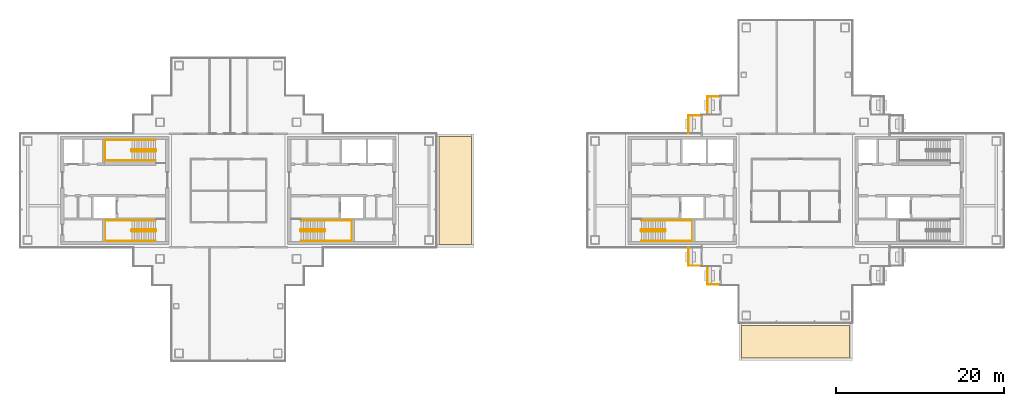
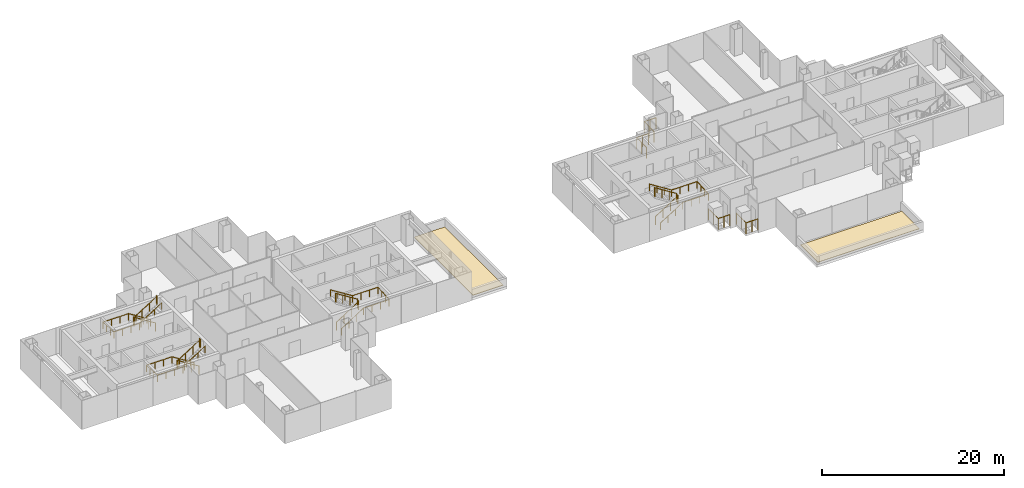
# One storey, part 14 of 16: 12 railings, 2 coverings.
"""IFC4 building model written with IfcOpenShell, lengths in metres."""

from ifc_helpers import new_model, si_unit, direction, frame, origin, origin_2d, place, context, subcontext, project, spatial, polyline, circle, outline, extrude, material, layer, layer_set, type_object, element, save


model = new_model("IFC4")

# Units and contexts
model_context = context("Model", 3, precision=1e-05, world=origin(), true_north=direction((0.0, 1.0)))
body_context = subcontext(model_context, "Body", "Model", "MODEL_VIEW")
ifc_project = project(units=[si_unit("LENGTHUNIT", "METRE"), si_unit("AREAUNIT", "SQUARE_METRE"), si_unit("VOLUMEUNIT", "CUBIC_METRE"), si_unit("PLANEANGLEUNIT", "RADIAN"), si_unit("MASSUNIT", "GRAM", prefix="KILO")], contexts=[model_context])

# Site, building, storey
site_placement = place(None, origin())
site = spatial("IfcSite", under=ifc_project, at=site_placement, CompositionType="ELEMENT")
building_placement = place(site_placement, origin())
building = spatial("IfcBuilding", under=site, at=building_placement, Name="Shamsa Quay Exchange Towers", CompositionType="ELEMENT")
storey_placement = place(building_placement, frame((0.0, 0.0, 182.699951171875)))
storey = spatial("IfcBuildingStorey", under=building, at=storey_placement, Name="L43", CompositionType="ELEMENT", Elevation=182.699951171875)

# Railings
ifc_material_1 = material(Name="Steel S355, black powder-coated", Category="steel")
railing_type_1 = type_object("IfcRailingType", Name="BALCONY GUARD 1500", PredefinedType="GUARDRAIL", material=ifc_material_1)
for number, where, name in (
    (1, (24.72900390625, 11.199951171875, 0.0), "Balcony guard T2-PKEN L43"),
    (2, (22.47900390625, 8.949951171875, 0.0), "Balcony guard T2-PKEN L43"),
):
    element("IfcRailing", number, at=place(storey_placement, frame(where)), inside=storey, type_object=railing_type_1, Name=name, PredefinedType="GUARDRAIL", context=body_context, shape_type="SweptSolid", body=[
        extrude(circle(Radius=0.02392578125, at=origin_2d()), frame((0.0, 0.0, 1.47607421875), z_axis=(-1.0, 0.0, 0.0), x_axis=(0.0, -1.0, 0.0)), (0.0, 0.0, 1.0), 1.47900390625),
        extrude(circle(Radius=0.02392578125, at=origin_2d()), frame((-1.47900390625, 0.0, 1.47607421875), z_axis=(0.0, -1.0, 0.0), x_axis=(1.0, 0.0, 0.0)), (0.0, 0.0, 1.0), 2.161865234375),
        extrude(circle(Radius=0.02099609375, at=origin_2d()), origin(), (0.0, 0.0, 1.0), 1.451904296875),
        extrude(circle(Radius=0.02099609375, at=origin_2d()), frame((-0.739501953125, 0.0, 0.0)), (0.0, 0.0, 1.0), 1.451904296875),
        extrude(circle(Radius=0.02099609375, at=origin_2d()), frame((-1.47900390625, 0.0, 0.0)), (0.0, 0.0, 1.0), 1.451904296875),
        extrude(circle(Radius=0.02099609375, at=origin_2d()), frame((-1.47900390625, -1.0810546875, 0.0)), (0.0, 0.0, 1.0), 1.451904296875),
        extrude(circle(Radius=0.02099609375, at=origin_2d()), frame((-1.47900390625, -2.161865234375, 0.0)), (0.0, 0.0, 1.0), 1.451904296875),
    ])
for number, where, name in (
    (3, (21.0, -6.7880859375, 0.0), "Balcony guard T2-PKWN L43"),
    (4, (23.25, -9.0380859375, 0.0), "Balcony guard T2-PKWN L43"),
):
    element("IfcRailing", number, at=place(storey_placement, frame(where)), inside=storey, type_object=railing_type_1, Name=name, PredefinedType="GUARDRAIL", context=body_context, shape_type="SweptSolid", body=[
        extrude(circle(Radius=0.02392578125, at=origin_2d()), frame((0.0, 0.0, 1.47607421875), z_axis=(0.0, -1.0, 0.0), x_axis=(1.0, 0.0, 0.0)), (0.0, 0.0, 1.0), 2.161865234375),
        extrude(circle(Radius=0.02392578125, at=origin_2d()), frame((0.0, -2.161865234375, 1.47607421875), z_axis=(1.0, 0.0, 0.0), x_axis=(0.0, 1.0, 0.0)), (0.0, 0.0, 1.0), 1.47900390625),
        extrude(circle(Radius=0.02099609375, at=origin_2d()), origin(), (0.0, 0.0, 1.0), 1.451904296875),
        extrude(circle(Radius=0.02099609375, at=origin_2d()), frame((0.0, -1.0810546875, 0.0)), (0.0, 0.0, 1.0), 1.451904296875),
        extrude(circle(Radius=0.02099609375, at=origin_2d()), frame((0.0, -2.161865234375, 0.0)), (0.0, 0.0, 1.0), 1.451904296875),
        extrude(circle(Radius=0.02099609375, at=origin_2d()), frame((0.739501953125, -2.161865234375, 0.0)), (0.0, 0.0, 1.0), 1.451904296875),
        extrude(circle(Radius=0.02099609375, at=origin_2d()), frame((1.47900390625, -2.161865234375, 0.0)), (0.0, 0.0, 1.0), 1.451904296875),
    ])

# Coverings
ifc_material_2 = material(Name="Bituminous waterproofing membrane with ballast")
ifc_layer = layer(ifc_material_2, 0.06005859375)
ifc_layer_set = layer_set([ifc_layer], Name="ROOF MEMBRANE 60")
covering_type = type_object("IfcCoveringType", Name="ROOF MEMBRANE 60", PredefinedType="ROOFING", material=ifc_layer_set)
covering_1_placement = place(storey_placement, origin())
element("IfcCovering", 5, at=covering_1_placement, inside=storey, type_object=covering_type, Name="Roof membrane 1.1", PredefinedType="ROOFING", context=body_context, shape_type="SweptSolid", body=[
    extrude(outline(polyline([(-4.820068359375, -6.429931640625), (-8.679931640625, -6.429931640625), (-8.679931640625, 6.429931640625), (-4.820068359375, 6.429931640625), (-4.820068359375, -6.429931640625)])), origin(), (0.0, 0.0, 1.0), 0.06005859375),
])
covering_2_placement = place(storey_placement, origin())
element("IfcCovering", 6, at=covering_2_placement, inside=storey, type_object=covering_type, Name="Roof membrane 2.1", PredefinedType="ROOFING", context=body_context, shape_type="SweptSolid", body=[
    extrude(outline(polyline([(27.320068359375, -19.929931640625), (27.320068359375, -16.070068359375), (40.179931640625, -16.070068359375), (40.179931640625, -19.929931640625), (27.320068359375, -19.929931640625)])), origin(), (0.0, 0.0, 1.0), 0.06005859375),
])

# Railings
ifc_material_3 = material(Name="Stainless steel", Category="steel")
railing_type_2 = type_object("IfcRailingType", Name="STAIR GUARD 1100", PredefinedType="GUARDRAIL", material=ifc_material_3)
railing_1_placement = place(storey_placement, frame((-25.10009765625, -4.89990234375, 0.17724609375)))
element("IfcRailing", 7, at=railing_1_placement, inside=storey, type_object=railing_type_2, Name="L43 ST1 stair guard 1", PredefinedType="GUARDRAIL", context=body_context, shape_type="SweptSolid", body=[
    extrude(circle(Radius=0.02392578125, at=origin_2d()), frame((0.0, 0.0, 1.076171875), z_axis=(0.844908973607, 0.0, 0.534910110503), x_axis=(0.0, 1.0, 0.0)), (0.0, 0.0, 1.0), 3.31396484375),
    extrude(circle(Radius=0.02392578125, at=origin_2d()), frame((2.800048828125, 0.0, 2.8486328125), z_axis=(0.708833529934, 0.705375805398, 0.0), x_axis=(-0.705375805398, 0.708833529934, 0.0)), (0.0, 0.0, 1.0), 0.070556640625),
    extrude(circle(Radius=0.02392578125, at=origin_2d()), frame((2.85009765625, 0.0498046875, 2.8486328125), z_axis=(0.0, 1.0, 0.0), x_axis=(-1.0, 0.0, 0.0)), (0.0, 0.0, 1.0), 0.150146484375),
    extrude(circle(Radius=0.02392578125, at=origin_2d()), frame((2.85009765625, 0.199951171875, 2.8486328125), z_axis=(-0.261922500866, 0.261922500866, 0.928866625022), x_axis=(-0.707106781187, -0.707106781187, 0.0)), (0.0, 0.0, 1.0), 0.191162109375),
    extrude(circle(Radius=0.02392578125, at=origin_2d()), frame((2.800048828125, 0.25, 3.0263671875), z_axis=(-0.844908973607, 0.0, 0.534910110503), x_axis=(0.0, -1.0, 0.0)), (0.0, 0.0, 1.0), 3.31396484375),
    extrude(circle(Radius=0.02392578125, at=origin_2d()), frame((0.0, 0.25, 4.798828125), z_axis=(-0.24142163986, -0.970420317083, 0.0), x_axis=(0.970420317083, -0.24142163986, 0.0)), (0.0, 0.0, 1.0), 0.206298828125),
    extrude(circle(Radius=0.02392578125, at=origin_2d()), frame((-0.0498046875, 0.0498046875, 4.798828125), z_axis=(0.0, 1.0, 0.0), x_axis=(-1.0, 0.0, 0.0)), (0.0, 0.0, 1.0), 0.150146484375),
    extrude(circle(Radius=0.02099609375, at=origin_2d()), origin(), (0.0, 0.0, 1.0), 1.052001953125),
    extrude(circle(Radius=0.02099609375, at=origin_2d()), frame((0.933349609375, 0.0, 0.5908203125)), (0.0, 0.0, 1.0), 1.052001953125),
    extrude(circle(Radius=0.02099609375, at=origin_2d()), frame((1.86669921875, 0.0, 1.181884765625)), (0.0, 0.0, 1.0), 1.052001953125),
    extrude(circle(Radius=0.02099609375, at=origin_2d()), frame((2.800048828125, 0.0, 1.772705078125)), (0.0, 0.0, 1.0), 1.052001953125),
    extrude(circle(Radius=0.02099609375, at=origin_2d()), frame((2.85009765625, 0.0498046875, 1.772705078125)), (0.0, 0.0, 1.0), 1.052001953125),
    extrude(circle(Radius=0.02099609375, at=origin_2d()), frame((2.85009765625, 0.199951171875, 1.772705078125)), (0.0, 0.0, 1.0), 1.052001953125),
    extrude(circle(Radius=0.02099609375, at=origin_2d()), frame((2.800048828125, 0.25, 1.9501953125)), (0.0, 0.0, 1.0), 1.052001953125),
    extrude(circle(Radius=0.02099609375, at=origin_2d()), frame((1.86669921875, 0.25, 2.541015625)), (0.0, 0.0, 1.0), 1.052001953125),
    extrude(circle(Radius=0.02099609375, at=origin_2d()), frame((0.933349609375, 0.25, 3.132080078125)), (0.0, 0.0, 1.0), 1.052001953125),
    extrude(circle(Radius=0.02099609375, at=origin_2d()), frame((0.0, 0.25, 3.722900390625)), (0.0, 0.0, 1.0), 1.052001953125),
    extrude(circle(Radius=0.02099609375, at=origin_2d()), frame((-0.0498046875, 0.0498046875, 3.722900390625)), (0.0, 0.0, 1.0), 1.052001953125),
    extrude(circle(Radius=0.02099609375, at=origin_2d()), frame((-0.0498046875, 0.199951171875, 3.722900390625)), (0.0, 0.0, 1.0), 1.052001953125),
])
railing_2_placement = place(storey_placement, frame((-42.39990234375, -4.64990234375, 0.17724609375)))
element("IfcRailing", 8, at=railing_2_placement, inside=storey, type_object=railing_type_2, Name="L43 ST2 stair guard 1", PredefinedType="GUARDRAIL", context=body_context, shape_type="SweptSolid", body=[
    extrude(circle(Radius=0.02392578125, at=origin_2d()), frame((0.0, 0.0, 1.076171875), z_axis=(-0.844908973607, 0.0, 0.534910110503), x_axis=(0.0, -1.0, 0.0)), (0.0, 0.0, 1.0), 3.31396484375),
    extrude(circle(Radius=0.02392578125, at=origin_2d()), frame((-2.800048828125, 0.0, 2.8486328125), z_axis=(-0.707106781187, -0.707106781187, 0.0), x_axis=(0.707106781187, -0.707106781187, 0.0)), (0.0, 0.0, 1.0), 0.07080078125),
    extrude(circle(Radius=0.02392578125, at=origin_2d()), frame((-2.85009765625, -0.050048828125, 2.8486328125), z_axis=(0.0, -1.0, 0.0), x_axis=(1.0, 0.0, 0.0)), (0.0, 0.0, 1.0), 0.150146484375),
    extrude(circle(Radius=0.02392578125, at=origin_2d()), frame((-2.85009765625, -0.2001953125, 2.8486328125), z_axis=(0.262009983441, -0.260731885961, 0.929176868105), x_axis=(0.705375805398, 0.708833529934, 0.0)), (0.0, 0.0, 1.0), 0.19091796875),
    extrude(circle(Radius=0.02392578125, at=origin_2d()), frame((-2.800048828125, -0.25, 3.0263671875), z_axis=(0.844908973607, 0.0, 0.534910110503), x_axis=(0.0, 1.0, 0.0)), (0.0, 0.0, 1.0), 3.31396484375),
    extrude(circle(Radius=0.02392578125, at=origin_2d()), frame((0.0, -0.25, 4.798828125), z_axis=(0.241699205484, 0.970351222016, 0.0), x_axis=(-0.970351222016, 0.241699205484, 0.0)), (0.0, 0.0, 1.0), 0.2060546875),
    extrude(circle(Radius=0.02392578125, at=origin_2d()), frame((0.0498046875, -0.050048828125, 4.798828125), z_axis=(0.0, -1.0, 0.0), x_axis=(1.0, 0.0, 0.0)), (0.0, 0.0, 1.0), 0.150146484375),
    extrude(circle(Radius=0.02099609375, at=origin_2d()), origin(), (0.0, 0.0, 1.0), 1.052001953125),
    extrude(circle(Radius=0.02099609375, at=origin_2d()), frame((-0.933349609375, 0.0, 0.5908203125)), (0.0, 0.0, 1.0), 1.052001953125),
    extrude(circle(Radius=0.02099609375, at=origin_2d()), frame((-1.86669921875, 0.0, 1.181884765625)), (0.0, 0.0, 1.0), 1.052001953125),
    extrude(circle(Radius=0.02099609375, at=origin_2d()), frame((-2.800048828125, 0.0, 1.772705078125)), (0.0, 0.0, 1.0), 1.052001953125),
    extrude(circle(Radius=0.02099609375, at=origin_2d()), frame((-2.85009765625, -0.050048828125, 1.772705078125)), (0.0, 0.0, 1.0), 1.052001953125),
    extrude(circle(Radius=0.02099609375, at=origin_2d()), frame((-2.85009765625, -0.2001953125, 1.772705078125)), (0.0, 0.0, 1.0), 1.052001953125),
    extrude(circle(Radius=0.02099609375, at=origin_2d()), frame((-2.800048828125, -0.25, 1.9501953125)), (0.0, 0.0, 1.0), 1.052001953125),
    extrude(circle(Radius=0.02099609375, at=origin_2d()), frame((-1.86669921875, -0.25, 2.541015625)), (0.0, 0.0, 1.0), 1.052001953125),
    extrude(circle(Radius=0.02099609375, at=origin_2d()), frame((-0.933349609375, -0.25, 3.132080078125)), (0.0, 0.0, 1.0), 1.052001953125),
    extrude(circle(Radius=0.02099609375, at=origin_2d()), frame((0.0, -0.25, 3.722900390625)), (0.0, 0.0, 1.0), 1.052001953125),
    extrude(circle(Radius=0.02099609375, at=origin_2d()), frame((0.0498046875, -0.050048828125, 3.722900390625)), (0.0, 0.0, 1.0), 1.052001953125),
    extrude(circle(Radius=0.02099609375, at=origin_2d()), frame((0.0498046875, -0.2001953125, 3.722900390625)), (0.0, 0.0, 1.0), 1.052001953125),
])
railing_3_placement = place(storey_placement, frame((-42.39990234375, 4.89990234375, 0.17724609375)))
element("IfcRailing", 9, at=railing_3_placement, inside=storey, type_object=railing_type_2, Name="L43 ST3 stair guard 1", PredefinedType="GUARDRAIL", context=body_context, shape_type="SweptSolid", body=[
    extrude(circle(Radius=0.02392578125, at=origin_2d()), frame((0.0, 0.0, 1.076171875), z_axis=(-0.844908973607, 0.0, 0.534910110503), x_axis=(0.0, -1.0, 0.0)), (0.0, 0.0, 1.0), 3.31396484375),
    extrude(circle(Radius=0.02392578125, at=origin_2d()), frame((-2.800048828125, 0.0, 2.8486328125), z_axis=(-0.708833529934, -0.705375805398, 0.0), x_axis=(0.705375805398, -0.708833529934, 0.0)), (0.0, 0.0, 1.0), 0.070556640625),
    extrude(circle(Radius=0.02392578125, at=origin_2d()), frame((-2.85009765625, -0.0498046875, 2.8486328125), z_axis=(0.0, -1.0, 0.0), x_axis=(1.0, 0.0, 0.0)), (0.0, 0.0, 1.0), 0.150146484375),
    extrude(circle(Radius=0.02392578125, at=origin_2d()), frame((-2.85009765625, -0.199951171875, 2.8486328125), z_axis=(0.261922500866, -0.261922500866, 0.928866625022), x_axis=(0.707106781187, 0.707106781187, 0.0)), (0.0, 0.0, 1.0), 0.191162109375),
    extrude(circle(Radius=0.02392578125, at=origin_2d()), frame((-2.800048828125, -0.25, 3.0263671875), z_axis=(0.844908973607, 0.0, 0.534910110503), x_axis=(0.0, 1.0, 0.0)), (0.0, 0.0, 1.0), 3.31396484375),
    extrude(circle(Radius=0.02392578125, at=origin_2d()), frame((0.0, -0.25, 4.798828125), z_axis=(0.24142163986, 0.970420317083, 0.0), x_axis=(-0.970420317083, 0.24142163986, 0.0)), (0.0, 0.0, 1.0), 0.206298828125),
    extrude(circle(Radius=0.02392578125, at=origin_2d()), frame((0.0498046875, -0.0498046875, 4.798828125), z_axis=(0.0, -1.0, 0.0), x_axis=(1.0, 0.0, 0.0)), (0.0, 0.0, 1.0), 0.150146484375),
    extrude(circle(Radius=0.02099609375, at=origin_2d()), origin(), (0.0, 0.0, 1.0), 1.052001953125),
    extrude(circle(Radius=0.02099609375, at=origin_2d()), frame((-0.933349609375, 0.0, 0.5908203125)), (0.0, 0.0, 1.0), 1.052001953125),
    extrude(circle(Radius=0.02099609375, at=origin_2d()), frame((-1.86669921875, 0.0, 1.181884765625)), (0.0, 0.0, 1.0), 1.052001953125),
    extrude(circle(Radius=0.02099609375, at=origin_2d()), frame((-2.800048828125, 0.0, 1.772705078125)), (0.0, 0.0, 1.0), 1.052001953125),
    extrude(circle(Radius=0.02099609375, at=origin_2d()), frame((-2.85009765625, -0.0498046875, 1.772705078125)), (0.0, 0.0, 1.0), 1.052001953125),
    extrude(circle(Radius=0.02099609375, at=origin_2d()), frame((-2.85009765625, -0.199951171875, 1.772705078125)), (0.0, 0.0, 1.0), 1.052001953125),
    extrude(circle(Radius=0.02099609375, at=origin_2d()), frame((-2.800048828125, -0.25, 1.9501953125)), (0.0, 0.0, 1.0), 1.052001953125),
    extrude(circle(Radius=0.02099609375, at=origin_2d()), frame((-1.86669921875, -0.25, 2.541015625)), (0.0, 0.0, 1.0), 1.052001953125),
    extrude(circle(Radius=0.02099609375, at=origin_2d()), frame((-0.933349609375, -0.25, 3.132080078125)), (0.0, 0.0, 1.0), 1.052001953125),
    extrude(circle(Radius=0.02099609375, at=origin_2d()), frame((0.0, -0.25, 3.722900390625)), (0.0, 0.0, 1.0), 1.052001953125),
    extrude(circle(Radius=0.02099609375, at=origin_2d()), frame((0.0498046875, -0.0498046875, 3.722900390625)), (0.0, 0.0, 1.0), 1.052001953125),
    extrude(circle(Radius=0.02099609375, at=origin_2d()), frame((0.0498046875, -0.199951171875, 3.722900390625)), (0.0, 0.0, 1.0), 1.052001953125),
])
railing_4_placement = place(storey_placement, frame((15.39990234375, -4.89990234375, 0.17724609375)))
element("IfcRailing", 10, at=railing_4_placement, inside=storey, type_object=railing_type_2, Name="L43 ST4 stair guard 1", PredefinedType="GUARDRAIL", context=body_context, shape_type="SweptSolid", body=[
    extrude(circle(Radius=0.02392578125, at=origin_2d()), frame((0.0, 0.0, 1.076171875), z_axis=(0.844908973607, 0.0, 0.534910110503), x_axis=(0.0, 1.0, 0.0)), (0.0, 0.0, 1.0), 3.31396484375),
    extrude(circle(Radius=0.02392578125, at=origin_2d()), frame((2.800048828125, 0.0, 2.8486328125), z_axis=(0.708833529934, 0.705375805398, 0.0), x_axis=(-0.705375805398, 0.708833529934, 0.0)), (0.0, 0.0, 1.0), 0.070556640625),
    extrude(circle(Radius=0.02392578125, at=origin_2d()), frame((2.85009765625, 0.0498046875, 2.8486328125), z_axis=(0.0, 1.0, 0.0), x_axis=(-1.0, 0.0, 0.0)), (0.0, 0.0, 1.0), 0.150146484375),
    extrude(circle(Radius=0.02392578125, at=origin_2d()), frame((2.85009765625, 0.199951171875, 2.8486328125), z_axis=(-0.261922500866, 0.261922500866, 0.928866625022), x_axis=(-0.707106781187, -0.707106781187, 0.0)), (0.0, 0.0, 1.0), 0.191162109375),
    extrude(circle(Radius=0.02392578125, at=origin_2d()), frame((2.800048828125, 0.25, 3.0263671875), z_axis=(-0.844908973607, 0.0, 0.534910110503), x_axis=(0.0, -1.0, 0.0)), (0.0, 0.0, 1.0), 3.31396484375),
    extrude(circle(Radius=0.02392578125, at=origin_2d()), frame((0.0, 0.25, 4.798828125), z_axis=(-0.24142163986, -0.970420317083, 0.0), x_axis=(0.970420317083, -0.24142163986, 0.0)), (0.0, 0.0, 1.0), 0.206298828125),
    extrude(circle(Radius=0.02392578125, at=origin_2d()), frame((-0.0498046875, 0.0498046875, 4.798828125), z_axis=(0.0, 1.0, 0.0), x_axis=(-1.0, 0.0, 0.0)), (0.0, 0.0, 1.0), 0.150146484375),
    extrude(circle(Radius=0.02099609375, at=origin_2d()), origin(), (0.0, 0.0, 1.0), 1.052001953125),
    extrude(circle(Radius=0.02099609375, at=origin_2d()), frame((0.933349609375, 0.0, 0.5908203125)), (0.0, 0.0, 1.0), 1.052001953125),
    extrude(circle(Radius=0.02099609375, at=origin_2d()), frame((1.86669921875, 0.0, 1.181884765625)), (0.0, 0.0, 1.0), 1.052001953125),
    extrude(circle(Radius=0.02099609375, at=origin_2d()), frame((2.800048828125, 0.0, 1.772705078125)), (0.0, 0.0, 1.0), 1.052001953125),
    extrude(circle(Radius=0.02099609375, at=origin_2d()), frame((2.85009765625, 0.0498046875, 1.772705078125)), (0.0, 0.0, 1.0), 1.052001953125),
    extrude(circle(Radius=0.02099609375, at=origin_2d()), frame((2.85009765625, 0.199951171875, 1.772705078125)), (0.0, 0.0, 1.0), 1.052001953125),
    extrude(circle(Radius=0.02099609375, at=origin_2d()), frame((2.800048828125, 0.25, 1.9501953125)), (0.0, 0.0, 1.0), 1.052001953125),
    extrude(circle(Radius=0.02099609375, at=origin_2d()), frame((1.86669921875, 0.25, 2.541015625)), (0.0, 0.0, 1.0), 1.052001953125),
    extrude(circle(Radius=0.02099609375, at=origin_2d()), frame((0.933349609375, 0.25, 3.132080078125)), (0.0, 0.0, 1.0), 1.052001953125),
    extrude(circle(Radius=0.02099609375, at=origin_2d()), frame((0.0, 0.25, 3.722900390625)), (0.0, 0.0, 1.0), 1.052001953125),
    extrude(circle(Radius=0.02099609375, at=origin_2d()), frame((-0.0498046875, 0.0498046875, 3.722900390625)), (0.0, 0.0, 1.0), 1.052001953125),
    extrude(circle(Radius=0.02099609375, at=origin_2d()), frame((-0.0498046875, 0.199951171875, 3.722900390625)), (0.0, 0.0, 1.0), 1.052001953125),
])
railing_type_3 = type_object("IfcRailingType", Name="STAIR HANDRAIL 900", PredefinedType="HANDRAIL", material=ifc_material_3)
railing_5_placement = place(storey_placement, frame((-25.10009765625, -6.0, 0.17724609375)))
element("IfcRailing", 11, at=railing_5_placement, inside=storey, type_object=railing_type_3, Name="L43 ST1 stair handrail 1", PredefinedType="HANDRAIL", context=body_context, shape_type="SweptSolid", body=[
    extrude(circle(Radius=0.02392578125, at=origin_2d()), frame((0.0, 0.0, 0.8759765625), z_axis=(0.844908973607, 0.0, 0.534910110503), x_axis=(0.0, 1.0, 0.0)), (0.0, 0.0, 1.0), 3.31396484375),
    extrude(circle(Radius=0.02392578125, at=origin_2d()), frame((2.800048828125, 0.0, 2.6484375), z_axis=(1.0, 0.0, 0.0), x_axis=(0.0, 1.0, 0.0)), (0.0, 0.0, 1.0), 3.25),
    extrude(circle(Radius=0.02392578125, at=origin_2d()), frame((6.050048828125, 0.0, 2.6484375), z_axis=(0.0, 0.997386041853, 0.072257065513), x_axis=(-1.0, 0.0, 0.0)), (0.0, 0.0, 1.0), 2.456298828125),
    extrude(circle(Radius=0.02392578125, at=origin_2d()), frame((6.050048828125, 2.449951171875, 2.826171875), z_axis=(-1.0, 0.0, 0.0), x_axis=(0.0, -1.0, 0.0)), (0.0, 0.0, 1.0), 3.25),
    extrude(circle(Radius=0.02392578125, at=origin_2d()), frame((2.800048828125, 2.449951171875, 2.826171875), z_axis=(-0.844908973607, 0.0, 0.534910110503), x_axis=(0.0, -1.0, 0.0)), (0.0, 0.0, 1.0), 3.31396484375),
    extrude(circle(Radius=0.02099609375, at=origin_2d()), origin(), (0.0, 0.0, 1.0), 0.851806640625),
    extrude(circle(Radius=0.02099609375, at=origin_2d()), frame((0.933349609375, 0.0, 0.5908203125)), (0.0, 0.0, 1.0), 0.851806640625),
    extrude(circle(Radius=0.02099609375, at=origin_2d()), frame((1.86669921875, 0.0, 1.181884765625)), (0.0, 0.0, 1.0), 0.851806640625),
    extrude(circle(Radius=0.02099609375, at=origin_2d()), frame((2.800048828125, 0.0, 1.772705078125)), (0.0, 0.0, 1.0), 0.851806640625),
    extrude(circle(Radius=0.02099609375, at=origin_2d()), frame((3.88330078125, 0.0, 1.772705078125)), (0.0, 0.0, 1.0), 0.851806640625),
    extrude(circle(Radius=0.02099609375, at=origin_2d()), frame((4.966796875, 0.0, 1.772705078125)), (0.0, 0.0, 1.0), 0.851806640625),
    extrude(circle(Radius=0.02099609375, at=origin_2d()), frame((6.050048828125, 0.0, 1.772705078125)), (0.0, 0.0, 1.0), 0.851806640625),
    extrude(circle(Radius=0.02099609375, at=origin_2d()), frame((6.050048828125, 0.816650390625, 1.831787109375)), (0.0, 0.0, 1.0), 0.851806640625),
    extrude(circle(Radius=0.02099609375, at=origin_2d()), frame((6.050048828125, 1.63330078125, 1.89111328125)), (0.0, 0.0, 1.0), 0.851806640625),
    extrude(circle(Radius=0.02099609375, at=origin_2d()), frame((6.050048828125, 2.449951171875, 1.9501953125)), (0.0, 0.0, 1.0), 0.851806640625),
    extrude(circle(Radius=0.02099609375, at=origin_2d()), frame((4.966796875, 2.449951171875, 1.9501953125)), (0.0, 0.0, 1.0), 0.851806640625),
    extrude(circle(Radius=0.02099609375, at=origin_2d()), frame((3.88330078125, 2.449951171875, 1.9501953125)), (0.0, 0.0, 1.0), 0.851806640625),
    extrude(circle(Radius=0.02099609375, at=origin_2d()), frame((2.800048828125, 2.449951171875, 1.9501953125)), (0.0, 0.0, 1.0), 0.851806640625),
    extrude(circle(Radius=0.02099609375, at=origin_2d()), frame((1.86669921875, 2.449951171875, 2.541015625)), (0.0, 0.0, 1.0), 0.851806640625),
    extrude(circle(Radius=0.02099609375, at=origin_2d()), frame((0.933349609375, 2.449951171875, 3.132080078125)), (0.0, 0.0, 1.0), 0.851806640625),
    extrude(circle(Radius=0.02099609375, at=origin_2d()), frame((0.0, 2.449951171875, 3.722900390625)), (0.0, 0.0, 1.0), 0.851806640625),
])
railing_6_placement = place(storey_placement, frame((-42.39990234375, -3.550048828125, 0.17724609375)))
element("IfcRailing", 12, at=railing_6_placement, inside=storey, type_object=railing_type_3, Name="L43 ST2 stair handrail 1", PredefinedType="HANDRAIL", context=body_context, shape_type="SweptSolid", body=[
    extrude(circle(Radius=0.02392578125, at=origin_2d()), frame((0.0, 0.0, 0.8759765625), z_axis=(-0.844908973607, 0.0, 0.534910110503), x_axis=(0.0, -1.0, 0.0)), (0.0, 0.0, 1.0), 3.31396484375),
    extrude(circle(Radius=0.02392578125, at=origin_2d()), frame((-2.800048828125, 0.0, 2.6484375), z_axis=(-1.0, 0.0, 0.0), x_axis=(0.0, -1.0, 0.0)), (0.0, 0.0, 1.0), 3.25),
    extrude(circle(Radius=0.02392578125, at=origin_2d()), frame((-6.050048828125, 0.0, 2.6484375), z_axis=(0.0, -0.997386041853, 0.072257065513), x_axis=(1.0, 0.0, 0.0)), (0.0, 0.0, 1.0), 2.456298828125),
    extrude(circle(Radius=0.02392578125, at=origin_2d()), frame((-6.050048828125, -2.449951171875, 2.826171875), z_axis=(1.0, 0.0, 0.0), x_axis=(0.0, 1.0, 0.0)), (0.0, 0.0, 1.0), 3.25),
    extrude(circle(Radius=0.02392578125, at=origin_2d()), frame((-2.800048828125, -2.449951171875, 2.826171875), z_axis=(0.844908973607, 0.0, 0.534910110503), x_axis=(0.0, 1.0, 0.0)), (0.0, 0.0, 1.0), 3.31396484375),
    extrude(circle(Radius=0.02099609375, at=origin_2d()), origin(), (0.0, 0.0, 1.0), 0.851806640625),
    extrude(circle(Radius=0.02099609375, at=origin_2d()), frame((-0.933349609375, 0.0, 0.5908203125)), (0.0, 0.0, 1.0), 0.851806640625),
    extrude(circle(Radius=0.02099609375, at=origin_2d()), frame((-1.86669921875, 0.0, 1.181884765625)), (0.0, 0.0, 1.0), 0.851806640625),
    extrude(circle(Radius=0.02099609375, at=origin_2d()), frame((-2.800048828125, 0.0, 1.772705078125)), (0.0, 0.0, 1.0), 0.851806640625),
    extrude(circle(Radius=0.02099609375, at=origin_2d()), frame((-3.88330078125, 0.0, 1.772705078125)), (0.0, 0.0, 1.0), 0.851806640625),
    extrude(circle(Radius=0.02099609375, at=origin_2d()), frame((-4.966796875, 0.0, 1.772705078125)), (0.0, 0.0, 1.0), 0.851806640625),
    extrude(circle(Radius=0.02099609375, at=origin_2d()), frame((-6.050048828125, 0.0, 1.772705078125)), (0.0, 0.0, 1.0), 0.851806640625),
    extrude(circle(Radius=0.02099609375, at=origin_2d()), frame((-6.050048828125, -0.816650390625, 1.831787109375)), (0.0, 0.0, 1.0), 0.851806640625),
    extrude(circle(Radius=0.02099609375, at=origin_2d()), frame((-6.050048828125, -1.63330078125, 1.89111328125)), (0.0, 0.0, 1.0), 0.851806640625),
    extrude(circle(Radius=0.02099609375, at=origin_2d()), frame((-6.050048828125, -2.449951171875, 1.9501953125)), (0.0, 0.0, 1.0), 0.851806640625),
    extrude(circle(Radius=0.02099609375, at=origin_2d()), frame((-4.966796875, -2.449951171875, 1.9501953125)), (0.0, 0.0, 1.0), 0.851806640625),
    extrude(circle(Radius=0.02099609375, at=origin_2d()), frame((-3.88330078125, -2.449951171875, 1.9501953125)), (0.0, 0.0, 1.0), 0.851806640625),
    extrude(circle(Radius=0.02099609375, at=origin_2d()), frame((-2.800048828125, -2.449951171875, 1.9501953125)), (0.0, 0.0, 1.0), 0.851806640625),
    extrude(circle(Radius=0.02099609375, at=origin_2d()), frame((-1.86669921875, -2.449951171875, 2.541015625)), (0.0, 0.0, 1.0), 0.851806640625),
    extrude(circle(Radius=0.02099609375, at=origin_2d()), frame((-0.933349609375, -2.449951171875, 3.132080078125)), (0.0, 0.0, 1.0), 0.851806640625),
    extrude(circle(Radius=0.02099609375, at=origin_2d()), frame((0.0, -2.449951171875, 3.722900390625)), (0.0, 0.0, 1.0), 0.851806640625),
])
railing_7_placement = place(storey_placement, frame((-42.39990234375, 6.0, 0.17724609375)))
element("IfcRailing", 13, at=railing_7_placement, inside=storey, type_object=railing_type_3, Name="L43 ST3 stair handrail 1", PredefinedType="HANDRAIL", context=body_context, shape_type="SweptSolid", body=[
    extrude(circle(Radius=0.02392578125, at=origin_2d()), frame((0.0, 0.0, 0.8759765625), z_axis=(-0.844908973607, 0.0, 0.534910110503), x_axis=(0.0, -1.0, 0.0)), (0.0, 0.0, 1.0), 3.31396484375),
    extrude(circle(Radius=0.02392578125, at=origin_2d()), frame((-2.800048828125, 0.0, 2.6484375), z_axis=(-1.0, 0.0, 0.0), x_axis=(0.0, -1.0, 0.0)), (0.0, 0.0, 1.0), 3.25),
    extrude(circle(Radius=0.02392578125, at=origin_2d()), frame((-6.050048828125, 0.0, 2.6484375), z_axis=(0.0, -0.997386041853, 0.072257065513), x_axis=(1.0, 0.0, 0.0)), (0.0, 0.0, 1.0), 2.456298828125),
    extrude(circle(Radius=0.02392578125, at=origin_2d()), frame((-6.050048828125, -2.449951171875, 2.826171875), z_axis=(1.0, 0.0, 0.0), x_axis=(0.0, 1.0, 0.0)), (0.0, 0.0, 1.0), 3.25),
    extrude(circle(Radius=0.02392578125, at=origin_2d()), frame((-2.800048828125, -2.449951171875, 2.826171875), z_axis=(0.844908973607, 0.0, 0.534910110503), x_axis=(0.0, 1.0, 0.0)), (0.0, 0.0, 1.0), 3.31396484375),
    extrude(circle(Radius=0.02099609375, at=origin_2d()), origin(), (0.0, 0.0, 1.0), 0.851806640625),
    extrude(circle(Radius=0.02099609375, at=origin_2d()), frame((-0.933349609375, 0.0, 0.5908203125)), (0.0, 0.0, 1.0), 0.851806640625),
    extrude(circle(Radius=0.02099609375, at=origin_2d()), frame((-1.86669921875, 0.0, 1.181884765625)), (0.0, 0.0, 1.0), 0.851806640625),
    extrude(circle(Radius=0.02099609375, at=origin_2d()), frame((-2.800048828125, 0.0, 1.772705078125)), (0.0, 0.0, 1.0), 0.851806640625),
    extrude(circle(Radius=0.02099609375, at=origin_2d()), frame((-3.88330078125, 0.0, 1.772705078125)), (0.0, 0.0, 1.0), 0.851806640625),
    extrude(circle(Radius=0.02099609375, at=origin_2d()), frame((-4.966796875, 0.0, 1.772705078125)), (0.0, 0.0, 1.0), 0.851806640625),
    extrude(circle(Radius=0.02099609375, at=origin_2d()), frame((-6.050048828125, 0.0, 1.772705078125)), (0.0, 0.0, 1.0), 0.851806640625),
    extrude(circle(Radius=0.02099609375, at=origin_2d()), frame((-6.050048828125, -0.816650390625, 1.831787109375)), (0.0, 0.0, 1.0), 0.851806640625),
    extrude(circle(Radius=0.02099609375, at=origin_2d()), frame((-6.050048828125, -1.63330078125, 1.89111328125)), (0.0, 0.0, 1.0), 0.851806640625),
    extrude(circle(Radius=0.02099609375, at=origin_2d()), frame((-6.050048828125, -2.449951171875, 1.9501953125)), (0.0, 0.0, 1.0), 0.851806640625),
    extrude(circle(Radius=0.02099609375, at=origin_2d()), frame((-4.966796875, -2.449951171875, 1.9501953125)), (0.0, 0.0, 1.0), 0.851806640625),
    extrude(circle(Radius=0.02099609375, at=origin_2d()), frame((-3.88330078125, -2.449951171875, 1.9501953125)), (0.0, 0.0, 1.0), 0.851806640625),
    extrude(circle(Radius=0.02099609375, at=origin_2d()), frame((-2.800048828125, -2.449951171875, 1.9501953125)), (0.0, 0.0, 1.0), 0.851806640625),
    extrude(circle(Radius=0.02099609375, at=origin_2d()), frame((-1.86669921875, -2.449951171875, 2.541015625)), (0.0, 0.0, 1.0), 0.851806640625),
    extrude(circle(Radius=0.02099609375, at=origin_2d()), frame((-0.933349609375, -2.449951171875, 3.132080078125)), (0.0, 0.0, 1.0), 0.851806640625),
    extrude(circle(Radius=0.02099609375, at=origin_2d()), frame((0.0, -2.449951171875, 3.722900390625)), (0.0, 0.0, 1.0), 0.851806640625),
])
railing_8_placement = place(storey_placement, frame((15.39990234375, -6.0, 0.17724609375)))
element("IfcRailing", 14, at=railing_8_placement, inside=storey, type_object=railing_type_3, Name="L43 ST4 stair handrail 1", PredefinedType="HANDRAIL", context=body_context, shape_type="SweptSolid", body=[
    extrude(circle(Radius=0.02392578125, at=origin_2d()), frame((0.0, 0.0, 0.8759765625), z_axis=(0.844908973607, 0.0, 0.534910110503), x_axis=(0.0, 1.0, 0.0)), (0.0, 0.0, 1.0), 3.31396484375),
    extrude(circle(Radius=0.02392578125, at=origin_2d()), frame((2.800048828125, 0.0, 2.6484375), z_axis=(1.0, 0.0, 0.0), x_axis=(0.0, 1.0, 0.0)), (0.0, 0.0, 1.0), 3.25),
    extrude(circle(Radius=0.02392578125, at=origin_2d()), frame((6.050048828125, 0.0, 2.6484375), z_axis=(0.0, 0.997386041853, 0.072257065513), x_axis=(-1.0, 0.0, 0.0)), (0.0, 0.0, 1.0), 2.456298828125),
    extrude(circle(Radius=0.02392578125, at=origin_2d()), frame((6.050048828125, 2.449951171875, 2.826171875), z_axis=(-1.0, 0.0, 0.0), x_axis=(0.0, -1.0, 0.0)), (0.0, 0.0, 1.0), 3.25),
    extrude(circle(Radius=0.02392578125, at=origin_2d()), frame((2.800048828125, 2.449951171875, 2.826171875), z_axis=(-0.844908973607, 0.0, 0.534910110503), x_axis=(0.0, -1.0, 0.0)), (0.0, 0.0, 1.0), 3.31396484375),
    extrude(circle(Radius=0.02099609375, at=origin_2d()), origin(), (0.0, 0.0, 1.0), 0.851806640625),
    extrude(circle(Radius=0.02099609375, at=origin_2d()), frame((0.933349609375, 0.0, 0.5908203125)), (0.0, 0.0, 1.0), 0.851806640625),
    extrude(circle(Radius=0.02099609375, at=origin_2d()), frame((1.86669921875, 0.0, 1.181884765625)), (0.0, 0.0, 1.0), 0.851806640625),
    extrude(circle(Radius=0.02099609375, at=origin_2d()), frame((2.800048828125, 0.0, 1.772705078125)), (0.0, 0.0, 1.0), 0.851806640625),
    extrude(circle(Radius=0.02099609375, at=origin_2d()), frame((3.88330078125, 0.0, 1.772705078125)), (0.0, 0.0, 1.0), 0.851806640625),
    extrude(circle(Radius=0.02099609375, at=origin_2d()), frame((4.966796875, 0.0, 1.772705078125)), (0.0, 0.0, 1.0), 0.851806640625),
    extrude(circle(Radius=0.02099609375, at=origin_2d()), frame((6.050048828125, 0.0, 1.772705078125)), (0.0, 0.0, 1.0), 0.851806640625),
    extrude(circle(Radius=0.02099609375, at=origin_2d()), frame((6.050048828125, 0.816650390625, 1.831787109375)), (0.0, 0.0, 1.0), 0.851806640625),
    extrude(circle(Radius=0.02099609375, at=origin_2d()), frame((6.050048828125, 1.63330078125, 1.89111328125)), (0.0, 0.0, 1.0), 0.851806640625),
    extrude(circle(Radius=0.02099609375, at=origin_2d()), frame((6.050048828125, 2.449951171875, 1.9501953125)), (0.0, 0.0, 1.0), 0.851806640625),
    extrude(circle(Radius=0.02099609375, at=origin_2d()), frame((4.966796875, 2.449951171875, 1.9501953125)), (0.0, 0.0, 1.0), 0.851806640625),
    extrude(circle(Radius=0.02099609375, at=origin_2d()), frame((3.88330078125, 2.449951171875, 1.9501953125)), (0.0, 0.0, 1.0), 0.851806640625),
    extrude(circle(Radius=0.02099609375, at=origin_2d()), frame((2.800048828125, 2.449951171875, 1.9501953125)), (0.0, 0.0, 1.0), 0.851806640625),
    extrude(circle(Radius=0.02099609375, at=origin_2d()), frame((1.86669921875, 2.449951171875, 2.541015625)), (0.0, 0.0, 1.0), 0.851806640625),
    extrude(circle(Radius=0.02099609375, at=origin_2d()), frame((0.933349609375, 2.449951171875, 3.132080078125)), (0.0, 0.0, 1.0), 0.851806640625),
    extrude(circle(Radius=0.02099609375, at=origin_2d()), frame((0.0, 2.449951171875, 3.722900390625)), (0.0, 0.0, 1.0), 0.851806640625),
])

save(model, "model.ifc")
